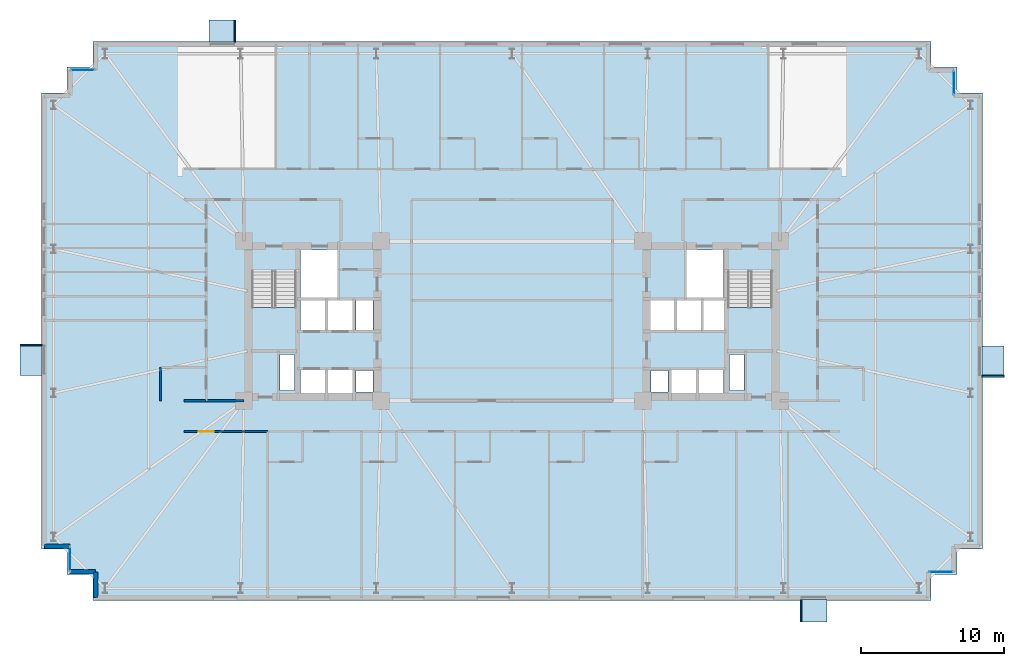
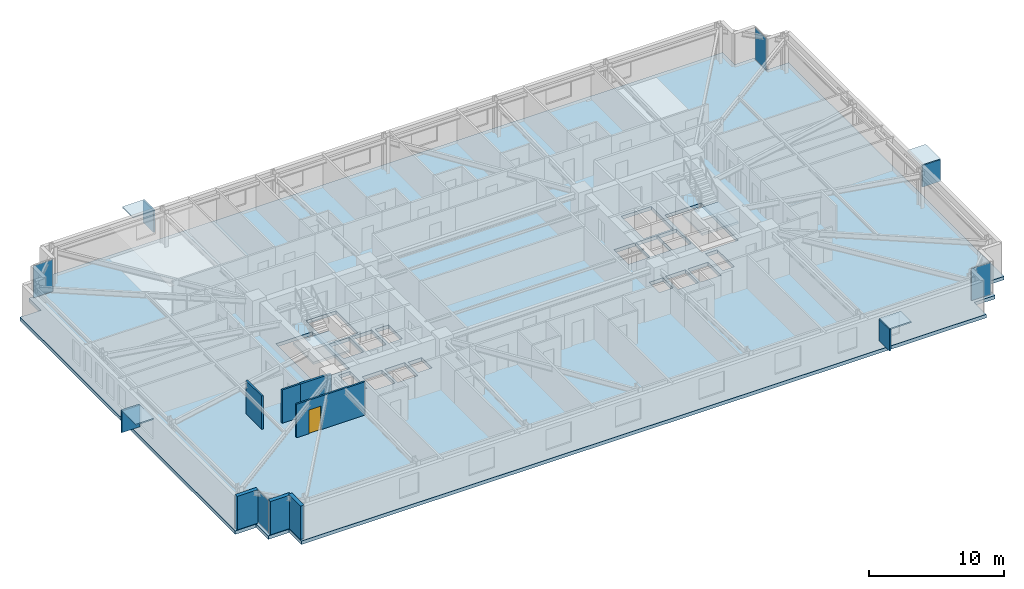
# One storey, part 13 of 22: 12 plates, 7 walls, 3 slabs, 1 door, 1 opening, 6 elements without a shape of their own.
"""IFC4 building model written with IfcOpenShell, lengths in metres."""

from ifc_helpers import new_model, si_unit, direction, frame, frame_2d, origin, origin_2d, place, context, subcontext, project, spatial, polyline, rectangle, outline, extrude, material, layer, layer_set, type_object, element, fill, aggregate, save


model = new_model("IFC4")

# Units and contexts
model_context = context("Model", 3, precision=1e-05, world=origin(), true_north=direction((0.0, 1.0)))
body_context = subcontext(model_context, "Body", "Model", "MODEL_VIEW")
ifc_project = project(units=[si_unit("LENGTHUNIT", "METRE"), si_unit("AREAUNIT", "SQUARE_METRE"), si_unit("VOLUMEUNIT", "CUBIC_METRE"), si_unit("PLANEANGLEUNIT", "RADIAN"), si_unit("MASSUNIT", "GRAM", prefix="KILO")], contexts=[model_context])

# Site, building, storey
site_placement = place(None, origin())
site = spatial("IfcSite", under=ifc_project, at=site_placement, CompositionType="ELEMENT")
building_placement = place(site_placement, origin())
building = spatial("IfcBuilding", under=site, at=building_placement, Name="Qobustan Lattice House", CompositionType="ELEMENT")
storey_placement = place(building_placement, frame((0.0, 0.0, 60.5)))
storey = spatial("IfcBuildingStorey", under=building, at=storey_placement, Name="L16", CompositionType="ELEMENT", Elevation=60.5)

# Curtain wall, plate
ifc_material_1 = material(Name="Anodised aluminium and low-E glazing", Category="aluminium")
ifc_layer_1 = layer(ifc_material_1, 0.219970703125)
ifc_layer_set_1 = layer_set([ifc_layer_1], Name="Anodised aluminium and low-E glazing")
curtain_wall_type = type_object("IfcCurtainWallType", Name="CW-FAC-01", PredefinedType="USERDEFINED", material=ifc_layer_set_1)
curtain_wall_1_placement = place(storey_placement, origin())
curtain_wall_1 = element("IfcCurtainWall", 1, at=curtain_wall_1_placement, inside=storey, type_object=curtain_wall_type, Name="L16 serrated corner faceted glazing 3", ObjectType="CURTAIN WALL", PredefinedType="USERDEFINED")
ifc_material_2 = material(Name="Clear low-E laminated glass", Category="glass")
ifc_layer_2 = layer(ifc_material_2, 0.031982421875)
ifc_layer_set_2 = layer_set([ifc_layer_2], Name="Clear low-E laminated glass")
plate_type_1 = type_object("IfcPlateType", Name="CWP-VISION-32", PredefinedType="CURTAIN_PANEL", material=ifc_layer_set_2)
plate_1_placement = place(storey_placement, frame((-31.0, -16.699951171875, 0.06494140625), z_axis=(0.0, 0.0, 1.0), x_axis=(0.0, 1.0, 0.0)))
plate_1 = element("IfcPlate", 2, at=plate_1_placement, type_object=plate_type_1, Name="CW-F1 panel 1.1", PredefinedType="CURTAIN_PANEL", context=body_context, shape_type="SweptSolid", body=[
    extrude(rectangle(XDim=1.659912109375, YDim=0.031982421875, at=origin_2d()), origin(), (0.0, 0.0, 1.0), 2.905029296875),
])
aggregate(curtain_wall_1, [plate_1])

curtain_wall_2_placement = place(storey_placement, origin())
curtain_wall_2 = element("IfcCurtainWall", 3, at=curtain_wall_2_placement, inside=storey, type_object=curtain_wall_type, Name="L16 serrated corner faceted glazing 8", ObjectType="CURTAIN WALL", PredefinedType="USERDEFINED")
plate_2_placement = place(storey_placement, frame((-30.10009765625, 17.60009765625, 0.06494140625), z_axis=(0.0, 0.0, 1.0), x_axis=(1.0, 0.0, 0.0)))
plate_2 = element("IfcPlate", 4, at=plate_2_placement, type_object=plate_type_1, Name="CW-F1 panel 1.1", PredefinedType="CURTAIN_PANEL", context=body_context, shape_type="SweptSolid", body=[
    extrude(rectangle(XDim=1.659912109375, YDim=0.031982421875, at=origin_2d()), origin(), (0.0, 0.0, 1.0), 2.905029296875),
])
aggregate(curtain_wall_2, [plate_2])

curtain_wall_3_placement = place(storey_placement, origin())
curtain_wall_3 = element("IfcCurtainWall", 5, at=curtain_wall_3_placement, inside=storey, type_object=curtain_wall_type, Name="L16 serrated corner faceted glazing 13", ObjectType="CURTAIN WALL", PredefinedType="USERDEFINED")
plate_3_placement = place(storey_placement, frame((31.0, 16.699951171875, 0.06494140625), z_axis=(0.0, 0.0, 1.0), x_axis=(0.0, -1.0, 0.0)))
plate_3 = element("IfcPlate", 6, at=plate_3_placement, type_object=plate_type_1, Name="CW-F1 panel 1.1", PredefinedType="CURTAIN_PANEL", context=body_context, shape_type="SweptSolid", body=[
    extrude(rectangle(XDim=1.659912109375, YDim=0.031982421875, at=origin_2d()), origin(), (0.0, 0.0, 1.0), 2.905029296875),
])
aggregate(curtain_wall_3, [plate_3])

curtain_wall_4_placement = place(storey_placement, origin())
curtain_wall_4 = element("IfcCurtainWall", 7, at=curtain_wall_4_placement, inside=storey, type_object=curtain_wall_type, Name="L16 serrated corner faceted glazing 18", ObjectType="CURTAIN WALL", PredefinedType="USERDEFINED")
plate_4_placement = place(storey_placement, frame((30.10009765625, -17.60009765625, 0.06494140625), z_axis=(0.0, 0.0, 1.0), x_axis=(-1.0, 0.0, 0.0)))
plate_4 = element("IfcPlate", 8, at=plate_4_placement, type_object=plate_type_1, Name="CW-F1 panel 1.1", PredefinedType="CURTAIN_PANEL", context=body_context, shape_type="SweptSolid", body=[
    extrude(rectangle(XDim=1.659912109375, YDim=0.031982421875, at=origin_2d()), origin(), (0.0, 0.0, 1.0), 2.905029296875),
])
aggregate(curtain_wall_4, [plate_4])

# Plates
ifc_material_3 = material(Name="Qobustan limestone GFRC", Category="masonry")
ifc_layer_3 = layer(ifc_material_3, 0.1201171875)
ifc_layer_set_3 = layer_set([ifc_layer_3], Name="Qobustan limestone GFRC")
plate_type_2 = type_object("IfcPlateType", Name="SHD-HOOD-BROW", PredefinedType="USERDEFINED", material=ifc_layer_set_3)
plate_5_placement = place(storey_placement, frame((-33.72998046875, -2.719970703125, 2.699951171875), z_axis=(0.0, 0.0, 1.0), x_axis=(0.0, 1.0, 0.0)))
element("IfcPlate", 9, at=plate_5_placement, inside=storey, type_object=plate_type_2, Name="L16 splayed Qobustan stone hood brow", ObjectType="SUNSHADE", PredefinedType="USERDEFINED", context=body_context, shape_type="SweptSolid", body=[
    extrude(rectangle(XDim=2.18994140625, YDim=1.56005859375, at=origin_2d()), origin(), (0.0, 0.0, 1.0), 0.1201171875),
])
plate_6_placement = place(storey_placement, frame((-33.72998046875, -1.68505859375, 0.7900390625), z_axis=(0.0, 0.0, 1.0), x_axis=(0.0, 1.0, 0.0)))
element("IfcPlate", 10, at=plate_6_placement, inside=storey, type_object=plate_type_2, Name="L16 splayed Qobustan stone hood cheek", ObjectType="SUNSHADE", PredefinedType="USERDEFINED", context=body_context, shape_type="SweptSolid", body=[
    extrude(rectangle(XDim=0.1201171875, YDim=1.56005859375, at=origin_2d()), origin(), (0.0, 0.0, 1.0), 1.969970703125),
])
plate_7_placement = place(storey_placement, frame((-20.3095703125, 20.330078125, 2.699951171875), z_axis=(0.0, 0.0, 1.0), x_axis=(1.0, 0.0, 0.0)))
element("IfcPlate", 11, at=plate_7_placement, inside=storey, type_object=plate_type_2, Name="L16 splayed Qobustan stone hood brow", ObjectType="SUNSHADE", PredefinedType="USERDEFINED", context=body_context, shape_type="SweptSolid", body=[
    extrude(rectangle(XDim=1.889892578125, YDim=1.56005859375, at=origin_2d()), origin(), (0.0, 0.0, 1.0), 0.1201171875),
])
plate_8_placement = place(storey_placement, frame((-19.424560546875, 20.330078125, 0.7900390625), z_axis=(0.0, 0.0, 1.0), x_axis=(1.0, 0.0, 0.0)))
element("IfcPlate", 12, at=plate_8_placement, inside=storey, type_object=plate_type_2, Name="L16 splayed Qobustan stone hood cheek", ObjectType="SUNSHADE", PredefinedType="USERDEFINED", context=body_context, shape_type="SweptSolid", body=[
    extrude(rectangle(XDim=0.1201171875, YDim=1.56005859375, at=origin_2d()), origin(), (0.0, 0.0, 1.0), 1.969970703125),
])
plate_9_placement = place(storey_placement, frame((33.72998046875, -2.840087890625, 2.699951171875), z_axis=(0.0, 0.0, 1.0), x_axis=(0.0, -1.0, 0.0)))
element("IfcPlate", 13, at=plate_9_placement, inside=storey, type_object=plate_type_2, Name="L16 splayed Qobustan stone hood brow", ObjectType="SUNSHADE", PredefinedType="USERDEFINED", context=body_context, shape_type="SweptSolid", body=[
    extrude(rectangle(XDim=2.18994140625, YDim=1.56005859375, at=origin_2d()), origin(), (0.0, 0.0, 1.0), 0.1201171875),
])
plate_10_placement = place(storey_placement, frame((33.72998046875, -3.875, 0.7900390625), z_axis=(0.0, 0.0, 1.0), x_axis=(0.0, -1.0, 0.0)))
element("IfcPlate", 14, at=plate_10_placement, inside=storey, type_object=plate_type_2, Name="L16 splayed Qobustan stone hood cheek", ObjectType="SUNSHADE", PredefinedType="USERDEFINED", context=body_context, shape_type="SweptSolid", body=[
    extrude(rectangle(XDim=0.1201171875, YDim=1.56005859375, at=origin_2d()), origin(), (0.0, 0.0, 1.0), 1.969970703125),
])
plate_11_placement = place(storey_placement, frame((21.159912109375, -20.330078125, 2.699951171875), z_axis=(0.0, 0.0, 1.0), x_axis=(-1.0, 0.0, 0.0)))
element("IfcPlate", 15, at=plate_11_placement, inside=storey, type_object=plate_type_2, Name="L16 splayed Qobustan stone hood brow", ObjectType="SUNSHADE", PredefinedType="USERDEFINED", context=body_context, shape_type="SweptSolid", body=[
    extrude(rectangle(XDim=1.889892578125, YDim=1.56005859375, at=origin_2d()), origin(), (0.0, 0.0, 1.0), 0.1201171875),
])
plate_12_placement = place(storey_placement, frame((20.27490234375, -20.330078125, 0.7900390625), z_axis=(0.0, 0.0, 1.0), x_axis=(-1.0, 0.0, 0.0)))
element("IfcPlate", 16, at=plate_12_placement, inside=storey, type_object=plate_type_2, Name="L16 splayed Qobustan stone hood cheek", ObjectType="SUNSHADE", PredefinedType="USERDEFINED", context=body_context, shape_type="SweptSolid", body=[
    extrude(rectangle(XDim=0.1201171875, YDim=1.56005859375, at=origin_2d()), origin(), (0.0, 0.0, 1.0), 1.969970703125),
])

# Slab
ifc_material_4 = material(Name="Concrete C40/50", Category="concrete")
ifc_layer_4 = layer(ifc_material_4, 0.31494140625)
ifc_layer_set_4 = layer_set([ifc_layer_4], Name="Concrete C40/50")
slab_type_1 = type_object("IfcSlabType", Name="SLB-FLR-315", PredefinedType="FLOOR", material=ifc_layer_set_4)
slab_1_placement = place(storey_placement, frame((0.0, 0.0, -0.31494140625)))
element("IfcSlab", 17, at=slab_1_placement, inside=storey, type_object=slab_type_1, Name="L16 structural floor slab", PredefinedType="FLOOR", context=body_context, shape_type="SweptSolid", body=[
    extrude(outline(polyline([(-29.39990234375, -19.60009765625), (29.39990234375, -19.60009765625), (29.39990234375, -17.800048828125), (31.199951171875, -17.800048828125), (31.199951171875, -16.0), (33.0, -16.0), (33.0, 16.0), (31.199951171875, 16.0), (31.199951171875, 17.800048828125), (29.39990234375, 17.800048828125), (29.39990234375, 19.60009765625), (-29.39990234375, 19.60009765625), (-29.39990234375, 17.800048828125), (-31.199951171875, 17.800048828125), (-31.199951171875, 16.0), (-33.0, 16.0), (-33.0, -16.0), (-31.199951171875, -16.0), (-31.199951171875, -17.800048828125), (-29.39990234375, -17.800048828125), (-29.39990234375, -19.60009765625)]), holes=[polyline([(-18.25, -2.050048828125), (-18.25, 3.489990234375), (-15.1298828125, 3.489990234375), (-15.1298828125, -2.050048828125), (-18.25, -2.050048828125)]), polyline([(15.1298828125, -2.050048828125), (15.1298828125, 3.489990234375), (18.25, 3.489990234375), (18.25, -2.050048828125), (15.1298828125, -2.050048828125)]), polyline([(-14.820068359375, 1.64990234375), (-14.820068359375, 4.9599609375), (-12.25, 4.9599609375), (-12.25, 1.64990234375), (-14.820068359375, 1.64990234375)]), polyline([(12.25, 1.64990234375), (12.25, 4.9599609375), (14.820068359375, 4.9599609375), (14.820068359375, 1.64990234375), (12.25, 1.64990234375)]), polyline([(-16.260009765625, -4.8798828125), (-16.260009765625, -2.360107421875), (-15.260009765625, -2.360107421875), (-15.260009765625, -4.8798828125), (-16.260009765625, -4.8798828125)]), polyline([(15.260009765625, -4.8798828125), (15.260009765625, -2.360107421875), (16.260009765625, -2.360107421875), (16.260009765625, -4.8798828125), (15.260009765625, -4.8798828125)]), polyline([(-14.85009765625, -5.35009765625), (-14.85009765625, -3.419921875), (-13.1201171875, -3.419921875), (-13.1201171875, -5.35009765625), (-14.85009765625, -5.35009765625)]), polyline([(-12.919921875, -5.35009765625), (-12.919921875, -3.419921875), (-11.179931640625, -3.419921875), (-11.179931640625, -5.35009765625), (-12.919921875, -5.35009765625)]), polyline([(-14.85009765625, -0.679931640625), (-14.85009765625, 1.47998046875), (-13.1201171875, 1.47998046875), (-13.1201171875, -0.679931640625), (-14.85009765625, -0.679931640625)]), polyline([(-12.919921875, -0.679931640625), (-12.919921875, 1.47998046875), (-11.179931640625, 1.47998046875), (-11.179931640625, -0.679931640625), (-12.919921875, -0.679931640625)]), polyline([(-10.93994140625, -5.0), (-10.93994140625, -3.47998046875), (-9.760009765625, -3.47998046875), (-9.760009765625, -5.0), (-10.93994140625, -5.0)]), polyline([(-10.93994140625, -0.6201171875), (-10.93994140625, 1.419921875), (-9.760009765625, 1.419921875), (-9.760009765625, -0.6201171875), (-10.93994140625, -0.6201171875)]), polyline([(11.179931640625, -5.35009765625), (11.179931640625, -3.419921875), (12.919921875, -3.419921875), (12.919921875, -5.35009765625), (11.179931640625, -5.35009765625)]), polyline([(13.1201171875, -5.35009765625), (13.1201171875, -3.419921875), (14.85009765625, -3.419921875), (14.85009765625, -5.35009765625), (13.1201171875, -5.35009765625)]), polyline([(9.760009765625, -5.0), (9.760009765625, -3.47998046875), (10.93994140625, -3.47998046875), (10.93994140625, -5.0), (9.760009765625, -5.0)]), polyline([(13.360107421875, -0.679931640625), (13.360107421875, 1.47998046875), (14.97998046875, 1.47998046875), (14.97998046875, -0.679931640625), (13.360107421875, -0.679931640625)]), polyline([(9.6201171875, -0.679931640625), (9.6201171875, 1.47998046875), (11.43994140625, 1.47998046875), (11.43994140625, -0.679931640625), (9.6201171875, -0.679931640625)]), polyline([(11.5, -0.679931640625), (11.5, 1.47998046875), (13.320068359375, 1.47998046875), (13.320068359375, -0.679931640625), (11.5, -0.679931640625)])]), origin(), (0.0, 0.0, 1.0), 0.31494140625),
])

# Stair, slab
ifc_material_5 = material(Name="Concrete C40/50", Category="concrete")
stair_type = type_object("IfcStairType", Name="STR-CORE-DOGLEG", PredefinedType="HALF_TURN_STAIR", material=ifc_material_5)
stair_1_placement = place(storey_placement, origin())
stair_1 = element("IfcStair", 18, at=stair_1_placement, inside=storey, type_object=stair_type, Name="L16 West protected exit stair ST-W1", PredefinedType="HALF_TURN_STAIR")
ifc_material_6 = material(Name="Concrete C40/50", Category="concrete")
ifc_layer_5 = layer(ifc_material_6, 0.199951171875)
ifc_layer_set_5 = layer_set([ifc_layer_5], Name="Concrete C40/50")
slab_type_2 = type_object("IfcSlabType", Name="SLB-LANDING-200", PredefinedType="LANDING", material=ifc_layer_set_5)
slab_2_placement = place(storey_placement, frame((0.0, 0.0, 1.47509765625)))
slab_2 = element("IfcSlab", 19, at=slab_2_placement, type_object=slab_type_2, Name="ST-W1 landing 1", PredefinedType="LANDING", context=body_context, shape_type="SweptSolid", body=[
    extrude(outline(polyline([(-18.25, 0.93505859375), (-18.25, -2.050048828125), (-15.1298828125, -2.050048828125), (-15.1298828125, 0.93505859375), (-18.25, 0.93505859375)])), origin(), (0.0, 0.0, 1.0), 0.199951171875),
])
aggregate(stair_1, [slab_2])

stair_2_placement = place(storey_placement, origin())
stair_2 = element("IfcStair", 20, at=stair_2_placement, inside=storey, type_object=stair_type, Name="L16 East protected exit stair ST-E1", PredefinedType="HALF_TURN_STAIR")
slab_3_placement = place(storey_placement, frame((0.0, 0.0, 1.47509765625)))
slab_3 = element("IfcSlab", 21, at=slab_3_placement, type_object=slab_type_2, Name="ST-E1 landing 1", PredefinedType="LANDING", context=body_context, shape_type="SweptSolid", body=[
    extrude(outline(polyline([(15.1298828125, 0.93505859375), (15.1298828125, -2.050048828125), (18.25, -2.050048828125), (18.25, 0.93505859375), (15.1298828125, 0.93505859375)])), origin(), (0.0, 0.0, 1.0), 0.199951171875),
])
aggregate(stair_2, [slab_3])

# Walls
ifc_material_7 = material(Name="Precast concrete C40/50", Category="concrete")
ifc_layer_6 = layer(ifc_material_7, 0.320068359375)
ifc_layer_set_6 = layer_set([ifc_layer_6], Name="Precast concrete C40/50")
wall_type_1 = type_object("IfcWallType", Name="WAL-EXT-STONE-320", PredefinedType="SOLIDWALL", material=ifc_layer_set_6)
wall_1_placement = place(storey_placement, frame((-29.199951171875, -19.39990234375, 0.0), z_axis=(0.0, 0.0, 1.0), x_axis=(0.0, 1.0, 0.0)))
element("IfcWall", 22, at=wall_1_placement, inside=storey, type_object=wall_type_1, Name="L16 exterior limestone-clad wall 1", PredefinedType="SOLIDWALL", context=body_context, shape_type="SweptSolid", body=[
    extrude(rectangle(XDim=1.7998046875, YDim=0.320068359375, at=frame_2d((0.89990234375, 0.0))), origin(), (0.0, 0.0, 1.0), 3.034912109375),
])
for number, where, z_axis, x_axis, name in (
    (23, (-29.199951171875, -17.60009765625, 0.0), (0.0, 0.0, 1.0), (-1.0, 0.0, 0.0), "L16 exterior limestone-clad wall 2"),
    (24, (-31.0, -15.800048828125, 0.0), (0.0, 0.0, 1.0), (-1.0, 0.0, 0.0), "L16 exterior limestone-clad wall 4"),
):
    element("IfcWall", number, at=place(storey_placement, frame(where, z_axis=z_axis, x_axis=x_axis)), inside=storey, type_object=wall_type_1, Name=name, PredefinedType="SOLIDWALL", context=body_context, shape_type="SweptSolid", body=[
        extrude(rectangle(XDim=1.800048828125, YDim=0.320068359375, at=frame_2d((0.89990234375, 0.0))), origin(), (0.0, 0.0, 1.0), 3.034912109375),
    ])
ifc_material_8 = material(Name="Gypsum fireboard acoustic partition", Category="gypsum")
ifc_layer_7 = layer(ifc_material_8, 0.179931640625)
ifc_layer_set_7 = layer_set([ifc_layer_7], Name="Gypsum fireboard acoustic partition")
wall_type_2 = type_object("IfcWallType", Name="WAL-FIRE-180", PredefinedType="PARTITIONING", material=ifc_layer_set_7)
wall_2_placement = place(storey_placement, frame((-21.449951171875, -5.60009765625, 0.0), z_axis=(0.0, 0.0, 1.0), x_axis=(1.0, 0.0, 0.0)))
element("IfcWall", 25, at=wall_2_placement, inside=storey, type_object=wall_type_2, Name="L16 interior partition 58", PredefinedType="PARTITIONING", context=body_context, shape_type="SweptSolid", body=[
    extrude(rectangle(XDim=2.64990234375, YDim=0.179931640625, at=frame_2d((1.324951171875, 0.0))), origin(), (0.0, 0.0, 1.0), 3.034912109375),
])

# Wall, opening, door
ifc_material_9 = material(Name="Acoustic twin-stud gypsum partition", Category="gypsum")
ifc_layer_8 = layer(ifc_material_9, 0.14990234375)
ifc_layer_set_8 = layer_set([ifc_layer_8], Name="Acoustic twin-stud gypsum partition")
wall_type_3 = type_object("IfcWallType", Name="WAL-PART-150", PredefinedType="PARTITIONING", material=ifc_layer_set_8)
wall_3_placement = place(storey_placement, frame((-17.12890625, -7.75, 0.0), z_axis=(0.0, 0.0, 1.0), x_axis=(-1.0, 0.0, 0.0)))
wall_3 = element("IfcWall", 26, at=wall_3_placement, inside=storey, type_object=wall_type_3, Name="L16 interior partition 60", PredefinedType="PARTITIONING", context=body_context, shape_type="SweptSolid", body=[
    extrude(rectangle(XDim=5.87109375, YDim=0.14990234375, at=frame_2d((2.935546875, 0.0))), origin(), (0.0, 0.0, 1.0), 3.034912109375),
])
opening_placement = place(wall_3_placement, frame((3.783447265625, 0.0, 0.0)))
opening = element("IfcOpeningElement", 27, at=opening_placement, cuts=wall_3, Name="Opening ID-02", PredefinedType="OPENING", context=body_context, shape_type="SweptSolid", body=[
    extrude(rectangle(XDim=1.050048828125, YDim=2.14990234375, at=frame_2d((0.52490234375, 1.074951171875))), frame((0.0, 0.0849609375, 0.0), z_axis=(0.0, -1.0, 0.0), x_axis=(1.0, 0.0, 0.0)), (0.0, 0.0, 1.0), 0.169921875),
])
ifc_material_10 = material(Name="Persian walnut timber and steel frame door", Category="steel")
door_type = type_object("IfcDoorType", Name="DOR-STUDY-1050x2150", OperationType="NOTDEFINED", PredefinedType="DOOR", material=ifc_material_10)
door_placement = place(opening_placement, origin())
door = element("IfcDoor", 28, at=door_placement, inside=storey, type_object=door_type, Name="L16 South-west floor corridor to Focus study room S1 door", OperationType="SINGLE_SWING_LEFT", OverallHeight=2.14990234375, OverallWidth=1.050048828125, PredefinedType="DOOR", context=body_context, shape_type="SweptSolid", body=[
    extrude(rectangle(XDim=1.050048828125, YDim=2.14990234375, at=frame_2d((0.52490234375, 1.074951171875))), frame((0.0, 0.02490234375, 0.0), z_axis=(0.0, -1.0, 0.0), x_axis=(1.0, 0.0, 0.0)), (0.0, 0.0, 1.0), 0.050048828125),
])
fill(opening, door)

# Walls
ifc_material_11 = material(Name="Moisture-resistant acoustic plumbing wall", Category="gypsum")
ifc_layer_9 = layer(ifc_material_11, 0.14990234375)
ifc_layer_set_9 = layer_set([ifc_layer_9], Name="Moisture-resistant acoustic plumbing wall")
wall_type_4 = type_object("IfcWallType", Name="WAL-WET-150", PredefinedType="PLUMBINGWALL", material=ifc_layer_set_9)
wall_4_placement = place(storey_placement, frame((-23.0, -5.60009765625, 0.0), z_axis=(0.0, 0.0, 1.0), x_axis=(1.0, 0.0, 0.0)))
element("IfcWall", 29, at=wall_4_placement, inside=storey, type_object=wall_type_4, Name="L16 interior partition 59", PredefinedType="PLUMBINGWALL", context=body_context, shape_type="SweptSolid", body=[
    extrude(rectangle(XDim=1.550048828125, YDim=0.14990234375, at=frame_2d((0.77490234375, 0.0))), origin(), (0.0, 0.0, 1.0), 3.034912109375),
])
wall_5_placement = place(storey_placement, frame((-24.64990234375, -5.60009765625, 0.0), z_axis=(0.0, 0.0, 1.0), x_axis=(0.0, 1.0, 0.0)))
element("IfcWall", 30, at=wall_5_placement, inside=storey, type_object=wall_type_4, Name="L16 interior partition 90", PredefinedType="PLUMBINGWALL", context=body_context, shape_type="SweptSolid", body=[
    extrude(rectangle(XDim=2.35009765625, YDim=0.14990234375, at=frame_2d((1.175048828125, 0.0))), origin(), (0.0, 0.0, 1.0), 3.034912109375),
])

save(model, "model.ifc")
